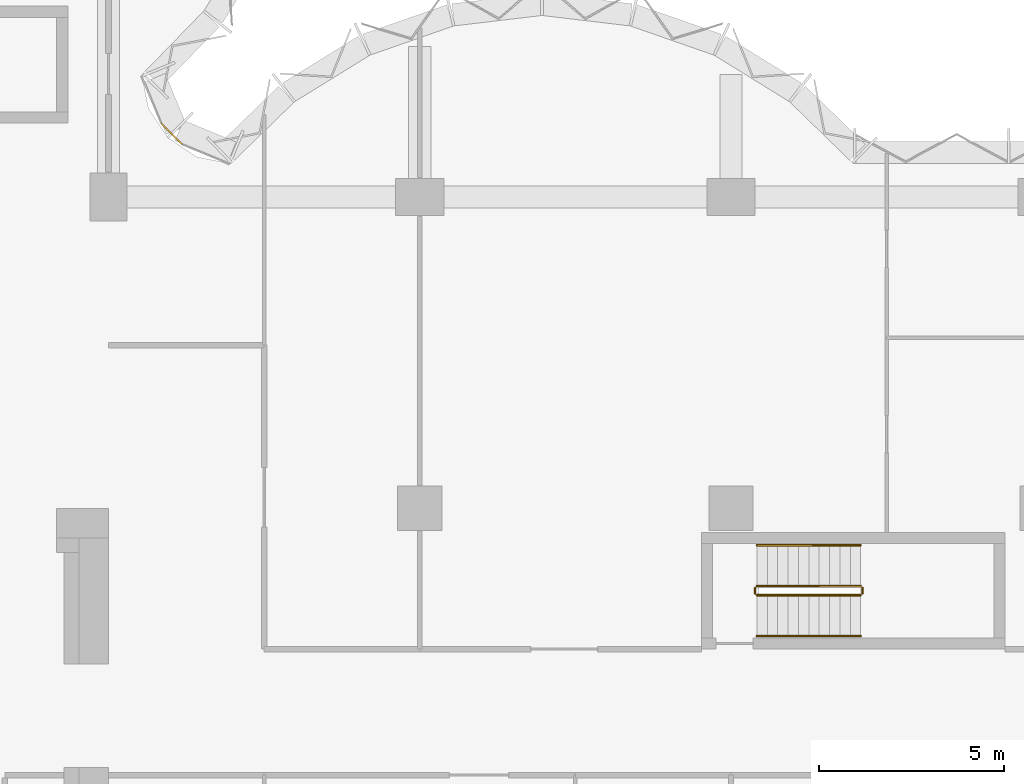
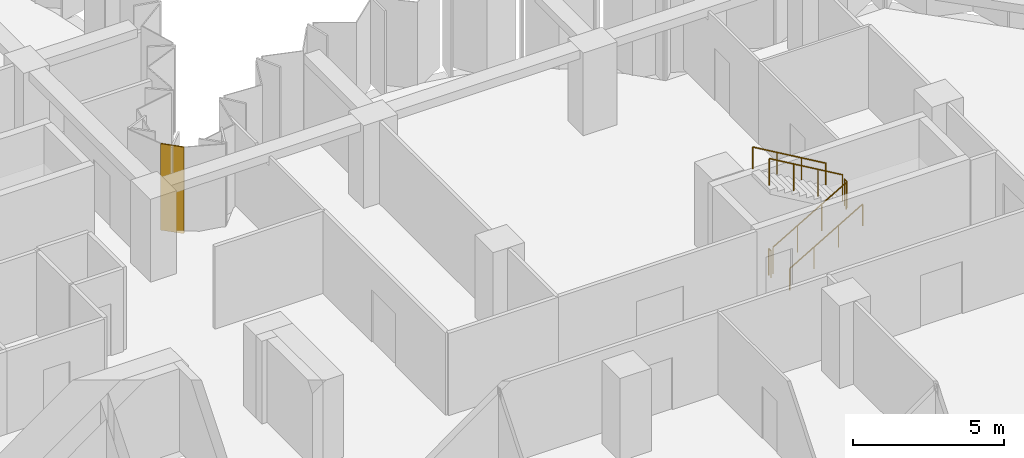
# One storey, part 11 of 11: 6 railings, 1 covering, 1 element without a shape of its own.
"""IFC4 building model written with IfcOpenShell, lengths in metres."""

from ifc_helpers import new_model, si_unit, direction, frame, origin, origin_2d, place, context, subcontext, project, spatial, polyline, circle, outline, extrude, material, layer, layer_set, type_object, element, aggregate, save


model = new_model("IFC4")

# Units and contexts
model_context = context("Model", 3, precision=1e-05, world=origin(), true_north=direction((0.0, 1.0)))
body_context = subcontext(model_context, "Body", "Model", "MODEL_VIEW")
ifc_project = project(units=[si_unit("LENGTHUNIT", "METRE"), si_unit("AREAUNIT", "SQUARE_METRE"), si_unit("VOLUMEUNIT", "CUBIC_METRE"), si_unit("PLANEANGLEUNIT", "RADIAN"), si_unit("MASSUNIT", "GRAM", prefix="KILO")], contexts=[model_context])

# Site, building, storey
site_placement = place(None, origin())
site = spatial("IfcSite", under=ifc_project, at=site_placement, CompositionType="ELEMENT")
building_placement = place(site_placement, origin())
building = spatial("IfcBuilding", under=site, at=building_placement, Name="Brevane Broadcast Tower", CompositionType="ELEMENT")
storey_placement = place(building_placement, frame((0.0, 0.0, 138.5)))
storey = spatial("IfcBuildingStorey", under=building, at=storey_placement, Name="L34", CompositionType="ELEMENT", Elevation=138.5)

# Railings
ifc_material_1 = material(Name="Steel S355", Category="steel")
railing_type_1 = type_object("IfcRailingType", Name="Exit stair guard", PredefinedType="GUARDRAIL", material=ifc_material_1)
railing_1_placement = place(storey_placement, frame((42.699951171875, 14.449951171875, 0.16357421875)))
element("IfcRailing", 1, at=railing_1_placement, inside=storey, type_object=railing_type_1, Name="L34 ST-4 stair guard 1", PredefinedType="GUARDRAIL", context=body_context, shape_type="SweptSolid", body=[
    extrude(circle(Radius=0.02392578125, at=origin_2d()), frame((0.0, 0.0, 1.076171875), z_axis=(0.863360870873, 0.0, 0.504586966384), x_axis=(0.0, 1.0, 0.0)), (0.0, 0.0, 1.0), 3.2431640625),
    extrude(circle(Radius=0.02099609375, at=origin_2d()), origin(), (0.0, 0.0, 1.0), 1.052001953125),
    extrude(circle(Radius=0.02099609375, at=origin_2d()), frame((0.933349609375, 0.0, 0.54541015625)), (0.0, 0.0, 1.0), 1.052001953125),
    extrude(circle(Radius=0.02099609375, at=origin_2d()), frame((1.86669921875, 0.0, 1.091064453125)), (0.0, 0.0, 1.0), 1.052001953125),
    extrude(circle(Radius=0.02099609375, at=origin_2d()), frame((2.800048828125, 0.0, 1.636474609375)), (0.0, 0.0, 1.0), 1.052001953125),
])
railing_2_placement = place(storey_placement, frame((45.550048828125, 14.5, 1.800048828125)))
element("IfcRailing", 2, at=railing_2_placement, inside=storey, type_object=railing_type_1, Name="L34 ST-4 stair guard 2", PredefinedType="GUARDRAIL", context=body_context, shape_type="SweptSolid", body=[
    extrude(circle(Radius=0.02392578125, at=origin_2d()), frame((0.0, 0.0, 1.076171875), z_axis=(0.0, 1.0, 0.0), x_axis=(-1.0, 0.0, 0.0)), (0.0, 0.0, 1.0), 0.14990234375),
    extrude(circle(Radius=0.02099609375, at=origin_2d()), origin(), (0.0, 0.0, 1.0), 1.052001953125),
    extrude(circle(Radius=0.02099609375, at=origin_2d()), frame((0.0, 0.14990234375, 0.0)), (0.0, 0.0, 1.0), 1.052001953125),
])
railing_3_placement = place(storey_placement, frame((45.5, 14.699951171875, 1.963623046875)))
element("IfcRailing", 3, at=railing_3_placement, inside=storey, type_object=railing_type_1, Name="L34 ST-4 stair guard 3", PredefinedType="GUARDRAIL", context=body_context, shape_type="SweptSolid", body=[
    extrude(circle(Radius=0.02392578125, at=origin_2d()), frame((0.0, 0.0, 1.076171875), z_axis=(-0.863360870873, 0.0, 0.504586966384), x_axis=(0.0, -1.0, 0.0)), (0.0, 0.0, 1.0), 3.2431640625),
    extrude(circle(Radius=0.02099609375, at=origin_2d()), origin(), (0.0, 0.0, 1.0), 1.052001953125),
    extrude(circle(Radius=0.02099609375, at=origin_2d()), frame((-0.933349609375, 0.0, 0.54541015625)), (0.0, 0.0, 1.0), 1.052001953125),
    extrude(circle(Radius=0.02099609375, at=origin_2d()), frame((-1.86669921875, 0.0, 1.091064453125)), (0.0, 0.0, 1.0), 1.052001953125),
    extrude(circle(Radius=0.02099609375, at=origin_2d()), frame((-2.800048828125, 0.0, 1.636474609375)), (0.0, 0.0, 1.0), 1.052001953125),
])
railing_4_placement = place(storey_placement, frame((42.64990234375, 14.5, 0.0)))
element("IfcRailing", 4, at=railing_4_placement, inside=storey, type_object=railing_type_1, Name="L34 ST-4 stair guard 4", PredefinedType="GUARDRAIL", context=body_context, shape_type="SweptSolid", body=[
    extrude(circle(Radius=0.02392578125, at=origin_2d()), frame((0.0, 0.0, 1.076171875), z_axis=(0.0, 1.0, 0.0), x_axis=(-1.0, 0.0, 0.0)), (0.0, 0.0, 1.0), 0.14990234375),
    extrude(circle(Radius=0.02099609375, at=origin_2d()), origin(), (0.0, 0.0, 1.0), 1.052001953125),
    extrude(circle(Radius=0.02099609375, at=origin_2d()), frame((0.0, 0.14990234375, 0.0)), (0.0, 0.0, 1.0), 1.052001953125),
])
railing_type_2 = type_object("IfcRailingType", Name="Exit stair handrail", PredefinedType="HANDRAIL", material=ifc_material_1)
railing_5_placement = place(storey_placement, frame((42.699951171875, 13.35009765625, 0.16357421875)))
element("IfcRailing", 5, at=railing_5_placement, inside=storey, type_object=railing_type_2, Name="L34 ST-4 stair handrail 1", PredefinedType="HANDRAIL", context=body_context, shape_type="SweptSolid", body=[
    extrude(circle(Radius=0.02392578125, at=origin_2d()), frame((0.0, 0.0, 0.8759765625), z_axis=(0.863360870873, 0.0, 0.504586966384), x_axis=(0.0, 1.0, 0.0)), (0.0, 0.0, 1.0), 3.2431640625),
    extrude(circle(Radius=0.02099609375, at=origin_2d()), origin(), (0.0, 0.0, 1.0), 0.851806640625),
    extrude(circle(Radius=0.02099609375, at=origin_2d()), frame((0.933349609375, 0.0, 0.54541015625)), (0.0, 0.0, 1.0), 0.851806640625),
    extrude(circle(Radius=0.02099609375, at=origin_2d()), frame((1.86669921875, 0.0, 1.091064453125)), (0.0, 0.0, 1.0), 0.851806640625),
    extrude(circle(Radius=0.02099609375, at=origin_2d()), frame((2.800048828125, 0.0, 1.636474609375)), (0.0, 0.0, 1.0), 0.851806640625),
])
railing_6_placement = place(storey_placement, frame((45.5, 15.800048828125, 1.963623046875)))
element("IfcRailing", 6, at=railing_6_placement, inside=storey, type_object=railing_type_2, Name="L34 ST-4 stair handrail 2", PredefinedType="HANDRAIL", context=body_context, shape_type="SweptSolid", body=[
    extrude(circle(Radius=0.02392578125, at=origin_2d()), frame((0.0, 0.0, 0.8759765625), z_axis=(-0.863360870873, 0.0, 0.504586966384), x_axis=(0.0, -1.0, 0.0)), (0.0, 0.0, 1.0), 3.2431640625),
    extrude(circle(Radius=0.02099609375, at=origin_2d()), origin(), (0.0, 0.0, 1.0), 0.851806640625),
    extrude(circle(Radius=0.02099609375, at=origin_2d()), frame((-0.933349609375, 0.0, 0.54541015625)), (0.0, 0.0, 1.0), 0.851806640625),
    extrude(circle(Radius=0.02099609375, at=origin_2d()), frame((-1.86669921875, 0.0, 1.091064453125)), (0.0, 0.0, 1.0), 0.851806640625),
    extrude(circle(Radius=0.02099609375, at=origin_2d()), frame((-2.800048828125, 0.0, 1.636474609375)), (0.0, 0.0, 1.0), 0.851806640625),
])

# Curtain wall, covering
ifc_material_2 = material(Name="Aluminium 6063-T6 bronze anodised", Category="aluminium")
curtain_wall_type = type_object("IfcCurtainWallType", Name="CW-1 curtain wall", PredefinedType="NOTDEFINED", material=ifc_material_2)
curtain_wall_placement = place(storey_placement, origin())
curtain_wall = element("IfcCurtainWall", 7, at=curtain_wall_placement, inside=storey, type_object=curtain_wall_type, Name="CW-1 typical tilted unit L34 inner corner", PredefinedType="NOTDEFINED")
ifc_material_3 = material(Name="Back-painted bronze glass shadow-box", Category="glass")
ifc_layer = layer(ifc_material_3, 0.0400390625)
ifc_layer_set = layer_set([ifc_layer], Name="Shadow-box panel 40")
covering_type = type_object("IfcCoveringType", Name="Shadow-box panel 40", PredefinedType="CLADDING", material=ifc_layer_set)
covering_placement = place(storey_placement, frame((0.0, 0.0, -0.14990234375)))
covering = element("IfcCovering", 8, at=covering_placement, type_object=covering_type, Name="Closure panel", PredefinedType="CLADDING", context=body_context, shape_type="SweptSolid", body=[
    extrude(outline(polyline([(27.17138671875, 26.60498046875), (27.2021484375, 26.635498046875), (26.635498046875, 27.2021484375), (26.60498046875, 27.17138671875), (27.17138671875, 26.60498046875)])), origin(), (0.0, 0.0, 1.0), 3.5),
])
aggregate(curtain_wall, [covering])

save(model, "model.ifc")
